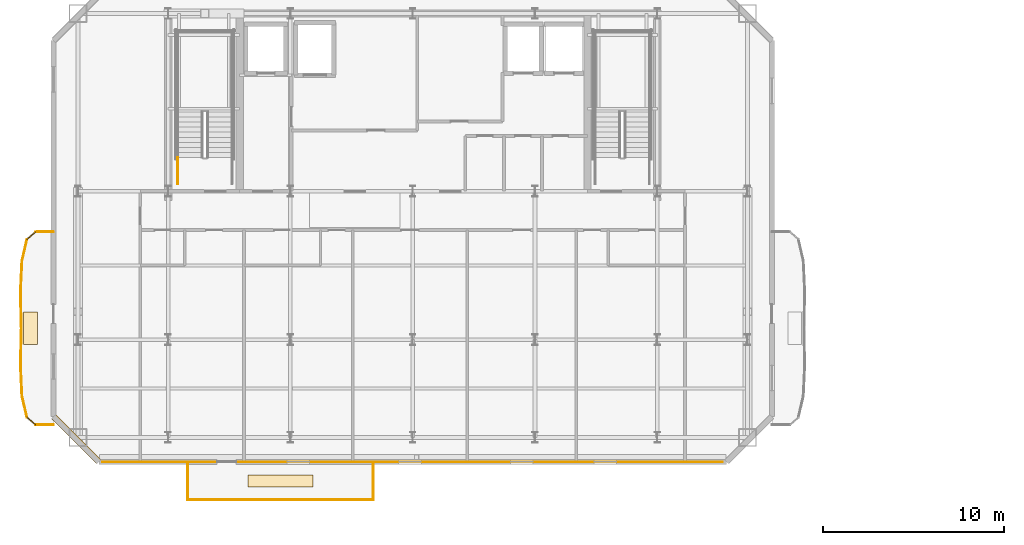
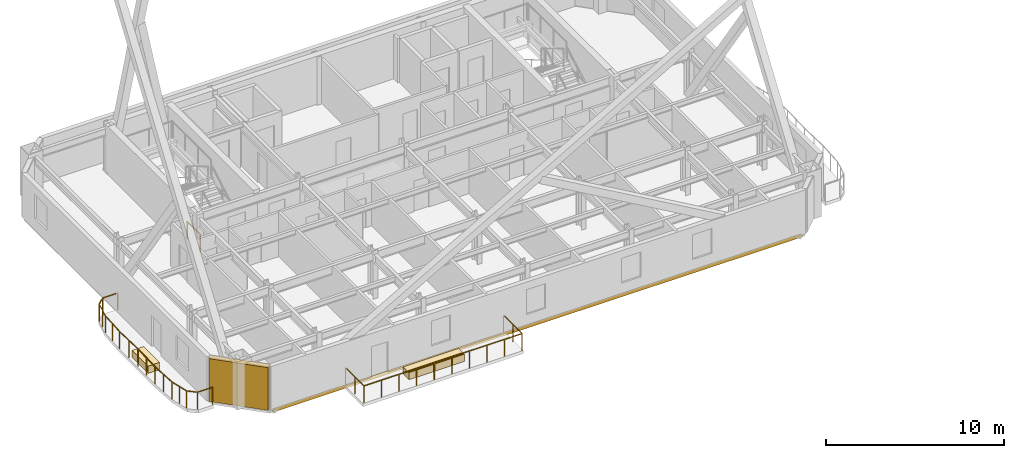
# One storey, part 6 of 9: 14 railings, 3 coverings, 1 shading device.
"""IFC4 building model written with IfcOpenShell, lengths in metres."""

from ifc_helpers import new_model, si_unit, direction, frame, origin, origin_2d, place, context, subcontext, project, spatial, rectangle, extrude, material, layer, layer_set, type_object, element, save


model = new_model("IFC4")

# Units and contexts
model_context = context("Model", 3, precision=1e-05, world=origin(), true_north=direction((0.0, 1.0)))
body_context = subcontext(model_context, "Body", "Model", "MODEL_VIEW")
ifc_project = project(units=[si_unit("LENGTHUNIT", "METRE"), si_unit("AREAUNIT", "SQUARE_METRE"), si_unit("VOLUMEUNIT", "CUBIC_METRE"), si_unit("PLANEANGLEUNIT", "RADIAN"), si_unit("MASSUNIT", "GRAM", prefix="KILO")], contexts=[model_context])

# Site, building, storey
site_placement = place(None, origin())
site = spatial("IfcSite", under=ifc_project, at=site_placement, CompositionType="ELEMENT")
building_placement = place(site_placement, origin())
building = spatial("IfcBuilding", under=site, at=building_placement, Name="Haevon Station Towers", CompositionType="ELEMENT")
storey_placement = place(building_placement, frame((0.0, 0.0, 239.39990234375)))
storey = spatial("IfcBuildingStorey", under=building, at=storey_placement, Name="L66", CompositionType="ELEMENT", Elevation=239.39990234375)

# Covering
ifc_material_1 = material(Name="Anodised aluminium 6063-T6", Category="aluminium")
ifc_layer_1 = layer(ifc_material_1, 0.0400390625)
ifc_layer_set_1 = layer_set([ifc_layer_1], Name="Anodised aluminium 6063-T6")
covering_type_1 = type_object("IfcCoveringType", Name="COV-CLAD40", PredefinedType="CLADDING", material=ifc_layer_set_1)
covering_1_placement = place(storey_placement, frame((37.5, 23.25, -0.23974609375), z_axis=(0.0, 0.0, 1.0), x_axis=(1.0, 0.0, 0.0)))
element("IfcCovering", 1, at=covering_1_placement, inside=storey, type_object=covering_type_1, Name="Tower 1 L66 Spandrel Fascia Cladding", PredefinedType="CLADDING", context=body_context, shape_type="SweptSolid", body=[
    extrude(rectangle(XDim=34.25, YDim=0.0400390625, at=origin_2d()), origin(), (0.0, 0.0, 1.0), 0.239990234375),
])

# Railings
ifc_material_2 = material(Name="Steel S355", Category="steel")
railing_type_1 = type_object("IfcRailingType", Name="GRD-EXT1200", PredefinedType="GUARDRAIL", material=ifc_material_2)
railing_1_placement = place(storey_placement, frame((17.65185546875, 35.947021484375, 0.0)))
element("IfcRailing", 2, at=railing_1_placement, inside=storey, type_object=railing_type_1, Name="L66 Perimeter Guardrail 1", PredefinedType="GUARDRAIL", context=body_context, shape_type="SweptSolid", body=[
    extrude(rectangle(XDim=0.048095703125, YDim=0.048095703125, at=origin_2d()), frame((0.0, 0.0, 1.17578125), z_axis=(-0.999997991982, -0.002004003992, 0.0), x_axis=(0.002004003992, -0.999997991982, 0.0)), (0.0, 0.0, 1.0), 0.974609375),
    extrude(rectangle(XDim=0.0419921875, YDim=0.0419921875, at=origin_2d()), origin(), (0.0, 0.0, 1.0), 1.15185546875),
    extrude(rectangle(XDim=0.0419921875, YDim=0.0419921875, at=origin_2d()), frame((-0.974609375, -0.001953125, 0.0)), (0.0, 0.0, 1.0), 1.15185546875),
])
railing_2_placement = place(storey_placement, frame((16.67724609375, 35.945068359375, 0.0)))
element("IfcRailing", 3, at=railing_2_placement, inside=storey, type_object=railing_type_1, Name="L66 Perimeter Guardrail 2", PredefinedType="GUARDRAIL", context=body_context, shape_type="SweptSolid", body=[
    extrude(rectangle(XDim=0.048095703125, YDim=0.048095703125, at=origin_2d()), frame((0.0, 0.0, 1.17578125), z_axis=(-0.750775765034, -0.660557151681, 0.0), x_axis=(0.660557151681, -0.750775765034, 0.0)), (0.0, 0.0, 1.0), 0.622314453125),
    extrude(rectangle(XDim=0.0419921875, YDim=0.0419921875, at=origin_2d()), origin(), (0.0, 0.0, 1.0), 1.15185546875),
    extrude(rectangle(XDim=0.0419921875, YDim=0.0419921875, at=origin_2d()), frame((-0.46728515625, -0.4111328125, 0.0)), (0.0, 0.0, 1.0), 1.15185546875),
])
railing_3_placement = place(storey_placement, frame((16.2099609375, 35.533935546875, 0.0)))
element("IfcRailing", 4, at=railing_3_placement, inside=storey, type_object=railing_type_1, Name="L66 Perimeter Guardrail 3", PredefinedType="GUARDRAIL", context=body_context, shape_type="SweptSolid", body=[
    extrude(rectangle(XDim=0.048095703125, YDim=0.048095703125, at=origin_2d()), frame((0.0, 0.0, 1.17578125), z_axis=(-0.227396637596, -0.973802222841, 0.0), x_axis=(0.973802222841, -0.227396637596, 0.0)), (0.0, 0.0, 1.0), 1.201416015625),
    extrude(rectangle(XDim=0.0419921875, YDim=0.0419921875, at=origin_2d()), origin(), (0.0, 0.0, 1.0), 1.15185546875),
    extrude(rectangle(XDim=0.0419921875, YDim=0.0419921875, at=origin_2d()), frame((-0.13671875, -0.5849609375, 0.0)), (0.0, 0.0, 1.0), 1.15185546875),
    extrude(rectangle(XDim=0.0419921875, YDim=0.0419921875, at=origin_2d()), frame((-0.273193359375, -1.169921875, 0.0)), (0.0, 0.0, 1.0), 1.15185546875),
])
railing_4_placement = place(storey_placement, frame((15.936767578125, 34.364013671875, 0.0)))
element("IfcRailing", 5, at=railing_4_placement, inside=storey, type_object=railing_type_1, Name="L66 Perimeter Guardrail 4", PredefinedType="GUARDRAIL", context=body_context, shape_type="SweptSolid", body=[
    extrude(rectangle(XDim=0.048095703125, YDim=0.048095703125, at=origin_2d()), frame((0.0, 0.0, 1.17578125), z_axis=(-0.046419346873, -0.99892204112, 0.0), x_axis=(0.99892204112, -0.046419346873, 0.0)), (0.0, 0.0, 1.0), 1.75146484375),
    extrude(rectangle(XDim=0.0419921875, YDim=0.0419921875, at=origin_2d()), origin(), (0.0, 0.0, 1.0), 1.15185546875),
    extrude(rectangle(XDim=0.0419921875, YDim=0.0419921875, at=origin_2d()), frame((-0.04052734375, -0.874755859375, 0.0)), (0.0, 0.0, 1.0), 1.15185546875),
    extrude(rectangle(XDim=0.0419921875, YDim=0.0419921875, at=origin_2d()), frame((-0.081298828125, -1.74951171875, 0.0)), (0.0, 0.0, 1.0), 1.15185546875),
])
railing_5_placement = place(storey_placement, frame((15.85546875, 32.614501953125, 0.0)))
element("IfcRailing", 6, at=railing_5_placement, inside=storey, type_object=railing_type_1, Name="L66 Perimeter Guardrail 5", PredefinedType="GUARDRAIL", context=body_context, shape_type="SweptSolid", body=[
    extrude(rectangle(XDim=0.048095703125, YDim=0.048095703125, at=origin_2d()), frame((0.0, 0.0, 1.17578125), z_axis=(0.024290290781, -0.999704947359, 0.0), x_axis=(0.999704947359, 0.024290290781, 0.0)), (0.0, 0.0, 1.0), 1.989990234375),
    extrude(rectangle(XDim=0.0419921875, YDim=0.0419921875, at=origin_2d()), origin(), (0.0, 0.0, 1.0), 1.15185546875),
    extrude(rectangle(XDim=0.0419921875, YDim=0.0419921875, at=origin_2d()), frame((0.024169921875, -0.99462890625, 0.0)), (0.0, 0.0, 1.0), 1.15185546875),
    extrude(rectangle(XDim=0.0419921875, YDim=0.0419921875, at=origin_2d()), frame((0.04833984375, -1.989501953125, 0.0)), (0.0, 0.0, 1.0), 1.15185546875),
])
railing_6_placement = place(storey_placement, frame((15.90380859375, 30.625, 0.0)))
element("IfcRailing", 7, at=railing_6_placement, inside=storey, type_object=railing_type_1, Name="L66 Perimeter Guardrail 6", PredefinedType="GUARDRAIL", context=body_context, shape_type="SweptSolid", body=[
    extrude(rectangle(XDim=0.048095703125, YDim=0.048095703125, at=origin_2d()), frame((0.0, 0.0, 1.17578125), z_axis=(-0.024290290781, -0.999704947359, 0.0), x_axis=(0.999704947359, -0.024290290781, 0.0)), (0.0, 0.0, 1.0), 1.989990234375),
    extrude(rectangle(XDim=0.0419921875, YDim=0.0419921875, at=origin_2d()), origin(), (0.0, 0.0, 1.0), 1.15185546875),
    extrude(rectangle(XDim=0.0419921875, YDim=0.0419921875, at=origin_2d()), frame((-0.024169921875, -0.99462890625, 0.0)), (0.0, 0.0, 1.0), 1.15185546875),
    extrude(rectangle(XDim=0.0419921875, YDim=0.0419921875, at=origin_2d()), frame((-0.04833984375, -1.989501953125, 0.0)), (0.0, 0.0, 1.0), 1.15185546875),
])
railing_7_placement = place(storey_placement, frame((15.85546875, 28.635498046875, 0.0)))
element("IfcRailing", 8, at=railing_7_placement, inside=storey, type_object=railing_type_1, Name="L66 Perimeter Guardrail 7", PredefinedType="GUARDRAIL", context=body_context, shape_type="SweptSolid", body=[
    extrude(rectangle(XDim=0.048095703125, YDim=0.048095703125, at=origin_2d()), frame((0.0, 0.0, 1.17578125), z_axis=(0.046419346873, -0.99892204112, 0.0), x_axis=(0.99892204112, 0.046419346873, 0.0)), (0.0, 0.0, 1.0), 1.75146484375),
    extrude(rectangle(XDim=0.0419921875, YDim=0.0419921875, at=origin_2d()), origin(), (0.0, 0.0, 1.0), 1.15185546875),
    extrude(rectangle(XDim=0.0419921875, YDim=0.0419921875, at=origin_2d()), frame((0.04052734375, -0.874755859375, 0.0)), (0.0, 0.0, 1.0), 1.15185546875),
    extrude(rectangle(XDim=0.0419921875, YDim=0.0419921875, at=origin_2d()), frame((0.081298828125, -1.74951171875, 0.0)), (0.0, 0.0, 1.0), 1.15185546875),
])
railing_8_placement = place(storey_placement, frame((15.936767578125, 26.885986328125, 0.0)))
element("IfcRailing", 9, at=railing_8_placement, inside=storey, type_object=railing_type_1, Name="L66 Perimeter Guardrail 8", PredefinedType="GUARDRAIL", context=body_context, shape_type="SweptSolid", body=[
    extrude(rectangle(XDim=0.048095703125, YDim=0.048095703125, at=origin_2d()), frame((0.0, 0.0, 1.17578125), z_axis=(0.227396637596, -0.973802222841, 0.0), x_axis=(0.973802222841, 0.227396637596, 0.0)), (0.0, 0.0, 1.0), 1.201416015625),
    extrude(rectangle(XDim=0.0419921875, YDim=0.0419921875, at=origin_2d()), origin(), (0.0, 0.0, 1.0), 1.15185546875),
    extrude(rectangle(XDim=0.0419921875, YDim=0.0419921875, at=origin_2d()), frame((0.13671875, -0.5849609375, 0.0)), (0.0, 0.0, 1.0), 1.15185546875),
    extrude(rectangle(XDim=0.0419921875, YDim=0.0419921875, at=origin_2d()), frame((0.273193359375, -1.169921875, 0.0)), (0.0, 0.0, 1.0), 1.15185546875),
])
railing_9_placement = place(storey_placement, frame((16.2099609375, 25.716064453125, 0.0)))
element("IfcRailing", 10, at=railing_9_placement, inside=storey, type_object=railing_type_1, Name="L66 Perimeter Guardrail 9", PredefinedType="GUARDRAIL", context=body_context, shape_type="SweptSolid", body=[
    extrude(rectangle(XDim=0.048095703125, YDim=0.048095703125, at=origin_2d()), frame((0.0, 0.0, 1.17578125), z_axis=(0.750775765034, -0.660557151681, 0.0), x_axis=(0.660557151681, 0.750775765034, 0.0)), (0.0, 0.0, 1.0), 0.622314453125),
    extrude(rectangle(XDim=0.0419921875, YDim=0.0419921875, at=origin_2d()), origin(), (0.0, 0.0, 1.0), 1.15185546875),
    extrude(rectangle(XDim=0.0419921875, YDim=0.0419921875, at=origin_2d()), frame((0.46728515625, -0.4111328125, 0.0)), (0.0, 0.0, 1.0), 1.15185546875),
])
railing_10_placement = place(storey_placement, frame((16.67724609375, 25.304931640625, 0.0)))
element("IfcRailing", 11, at=railing_10_placement, inside=storey, type_object=railing_type_1, Name="L66 Perimeter Guardrail 10", PredefinedType="GUARDRAIL", context=body_context, shape_type="SweptSolid", body=[
    extrude(rectangle(XDim=0.048095703125, YDim=0.048095703125, at=origin_2d()), frame((0.0, 0.0, 1.17578125), z_axis=(0.999997991982, -0.002004003992, 0.0), x_axis=(0.002004003992, 0.999997991982, 0.0)), (0.0, 0.0, 1.0), 0.974609375),
    extrude(rectangle(XDim=0.0419921875, YDim=0.0419921875, at=origin_2d()), origin(), (0.0, 0.0, 1.0), 1.15185546875),
    extrude(rectangle(XDim=0.0419921875, YDim=0.0419921875, at=origin_2d()), frame((0.974609375, -0.001953125, 0.0)), (0.0, 0.0, 1.0), 1.15185546875),
])
railing_11_placement = place(storey_placement, frame((25.078369140625, 21.165771484375, 0.0)))
element("IfcRailing", 12, at=railing_11_placement, inside=storey, type_object=railing_type_1, Name="L66 Perimeter Guardrail 1", PredefinedType="GUARDRAIL", context=body_context, shape_type="SweptSolid", body=[
    extrude(rectangle(XDim=0.048095703125, YDim=0.048095703125, at=origin_2d()), frame((0.0, 0.0, 1.17578125), z_axis=(1.0, 0.0, 0.0), x_axis=(0.0, 1.0, 0.0)), (0.0, 0.0, 1.0), 10.2431640625),
    extrude(rectangle(XDim=0.0419921875, YDim=0.0419921875, at=origin_2d()), origin(), (0.0, 0.0, 1.0), 1.15185546875),
    extrude(rectangle(XDim=0.0419921875, YDim=0.0419921875, at=origin_2d()), frame((1.13818359375, 0.0, 0.0)), (0.0, 0.0, 1.0), 1.15185546875),
    extrude(rectangle(XDim=0.0419921875, YDim=0.0419921875, at=origin_2d()), frame((2.2763671875, 0.0, 0.0)), (0.0, 0.0, 1.0), 1.15185546875),
    extrude(rectangle(XDim=0.0419921875, YDim=0.0419921875, at=origin_2d()), frame((3.414306640625, 0.0, 0.0)), (0.0, 0.0, 1.0), 1.15185546875),
    extrude(rectangle(XDim=0.0419921875, YDim=0.0419921875, at=origin_2d()), frame((4.552490234375, 0.0, 0.0)), (0.0, 0.0, 1.0), 1.15185546875),
    extrude(rectangle(XDim=0.0419921875, YDim=0.0419921875, at=origin_2d()), frame((5.690673828125, 0.0, 0.0)), (0.0, 0.0, 1.0), 1.15185546875),
    extrude(rectangle(XDim=0.0419921875, YDim=0.0419921875, at=origin_2d()), frame((6.828857421875, 0.0, 0.0)), (0.0, 0.0, 1.0), 1.15185546875),
    extrude(rectangle(XDim=0.0419921875, YDim=0.0419921875, at=origin_2d()), frame((7.966796875, 0.0, 0.0)), (0.0, 0.0, 1.0), 1.15185546875),
    extrude(rectangle(XDim=0.0419921875, YDim=0.0419921875, at=origin_2d()), frame((9.10498046875, 0.0, 0.0)), (0.0, 0.0, 1.0), 1.15185546875),
    extrude(rectangle(XDim=0.0419921875, YDim=0.0419921875, at=origin_2d()), frame((10.2431640625, 0.0, 0.0)), (0.0, 0.0, 1.0), 1.15185546875),
])
railing_12_placement = place(storey_placement, frame((35.321533203125, 21.165771484375, 0.0)))
element("IfcRailing", 13, at=railing_12_placement, inside=storey, type_object=railing_type_1, Name="L66 Perimeter Guardrail 2", PredefinedType="GUARDRAIL", context=body_context, shape_type="SweptSolid", body=[
    extrude(rectangle(XDim=0.048095703125, YDim=0.048095703125, at=origin_2d()), frame((0.0, 0.0, 1.17578125), z_axis=(0.0, 1.0, 0.0), x_axis=(-1.0, 0.0, 0.0)), (0.0, 0.0, 1.0), 2.0634765625),
    extrude(rectangle(XDim=0.0419921875, YDim=0.0419921875, at=origin_2d()), origin(), (0.0, 0.0, 1.0), 1.15185546875),
    extrude(rectangle(XDim=0.0419921875, YDim=0.0419921875, at=origin_2d()), frame((0.0, 1.03173828125, 0.0)), (0.0, 0.0, 1.0), 1.15185546875),
    extrude(rectangle(XDim=0.0419921875, YDim=0.0419921875, at=origin_2d()), frame((0.0, 2.0634765625, 0.0)), (0.0, 0.0, 1.0), 1.15185546875),
])
railing_13_placement = place(storey_placement, frame((25.078369140625, 23.229248046875, 0.0)))
element("IfcRailing", 14, at=railing_13_placement, inside=storey, type_object=railing_type_1, Name="L66 Perimeter Guardrail 3", PredefinedType="GUARDRAIL", context=body_context, shape_type="SweptSolid", body=[
    extrude(rectangle(XDim=0.048095703125, YDim=0.048095703125, at=origin_2d()), frame((0.0, 0.0, 1.17578125), z_axis=(0.0, -1.0, 0.0), x_axis=(1.0, 0.0, 0.0)), (0.0, 0.0, 1.0), 2.0634765625),
    extrude(rectangle(XDim=0.0419921875, YDim=0.0419921875, at=origin_2d()), origin(), (0.0, 0.0, 1.0), 1.15185546875),
    extrude(rectangle(XDim=0.0419921875, YDim=0.0419921875, at=origin_2d()), frame((0.0, -1.03173828125, 0.0)), (0.0, 0.0, 1.0), 1.15185546875),
    extrude(rectangle(XDim=0.0419921875, YDim=0.0419921875, at=origin_2d()), frame((0.0, -2.0634765625, 0.0)), (0.0, 0.0, 1.0), 1.15185546875),
])
railing_type_2 = type_object("IfcRailingType", Name="GRD-STR1200", PredefinedType="GUARDRAIL", material=ifc_material_2)
railing_14_placement = place(storey_placement, frame((24.530029296875, 38.60009765625, 0.0)))
element("IfcRailing", 15, at=railing_14_placement, inside=storey, type_object=railing_type_2, Name="L66 ST1 Stair Guard 9", PredefinedType="GUARDRAIL", context=body_context, shape_type="SweptSolid", body=[
    extrude(rectangle(XDim=0.048095703125, YDim=0.048095703125, at=origin_2d()), frame((0.0, 0.0, 1.17578125), z_axis=(0.0, 1.0, 0.0), x_axis=(-1.0, 0.0, 0.0)), (0.0, 0.0, 1.0), 1.449951171875),
    extrude(rectangle(XDim=0.0419921875, YDim=0.0419921875, at=origin_2d()), origin(), (0.0, 0.0, 1.0), 1.15185546875),
    extrude(rectangle(XDim=0.0419921875, YDim=0.0419921875, at=origin_2d()), frame((0.0, 1.449951171875, 0.0)), (0.0, 0.0, 1.0), 1.15185546875),
])

# Coverings
ifc_material_3 = material(Name="Architectural planter GRC", Category="concrete")
ifc_layer_2 = layer(ifc_material_3, 0.550048828125)
ifc_layer_set_2 = layer_set([ifc_layer_2], Name="Architectural planter GRC")
covering_type_2 = type_object("IfcCoveringType", Name="PLN-GRC550", PredefinedType="MOLDING", material=ifc_layer_set_2)
covering_2_placement = place(storey_placement, frame((16.405517578125, 30.625, 0.0), z_axis=(0.0, 0.0, 1.0), x_axis=(1.0, 0.0, 0.0)))
element("IfcCovering", 16, at=covering_2_placement, inside=storey, type_object=covering_type_2, Name="Tower 1 L66 Scalloped Balcony PLANTER", PredefinedType="MOLDING", context=body_context, shape_type="SweptSolid", body=[
    extrude(rectangle(XDim=0.75, YDim=1.800048828125, at=origin_2d()), origin(), (0.0, 0.0, 1.0), 0.5),
])
covering_3_placement = place(storey_placement, frame((30.199951171875, 22.197509765625, 0.0), z_axis=(0.0, 0.0, 1.0), x_axis=(1.0, 0.0, 0.0)))
element("IfcCovering", 17, at=covering_3_placement, inside=storey, type_object=covering_type_2, Name="Tower 1 L66 Facade Trough PLANTER", PredefinedType="MOLDING", context=body_context, shape_type="SweptSolid", body=[
    extrude(rectangle(XDim=3.60009765625, YDim=0.64990234375, at=origin_2d()), origin(), (0.0, 0.0, 1.0), 0.5),
])

# Shading device
ifc_layer_3 = layer(ifc_material_1, 0.139892578125)
ifc_layer_set_3 = layer_set([ifc_layer_3], Name="Anodised aluminium 6063-T6")
shading_device_type = type_object("IfcShadingDeviceType", Name="SHD-WIND-BAFFLE", PredefinedType="SHUTTER", material=ifc_layer_set_3)
shading_device_placement = place(storey_placement, frame((18.925048828125, 24.5, 0.05029296875), z_axis=(0.0, 0.0, 1.0), x_axis=(-0.707106781187, 0.707106781187, 0.0)))
element("IfcShadingDevice", 18, at=shading_device_placement, inside=storey, type_object=shading_device_type, Name="Tower 1 L66 Wind-Corner Aerofoil Baffle SWC", PredefinedType="SHUTTER", context=body_context, shape_type="SweptSolid", body=[
    extrude(rectangle(XDim=3.435546875, YDim=0.340087890625, at=origin_2d()), origin(), (0.0, 0.0, 1.0), 2.929931640625),
])

save(model, "model.ifc")
